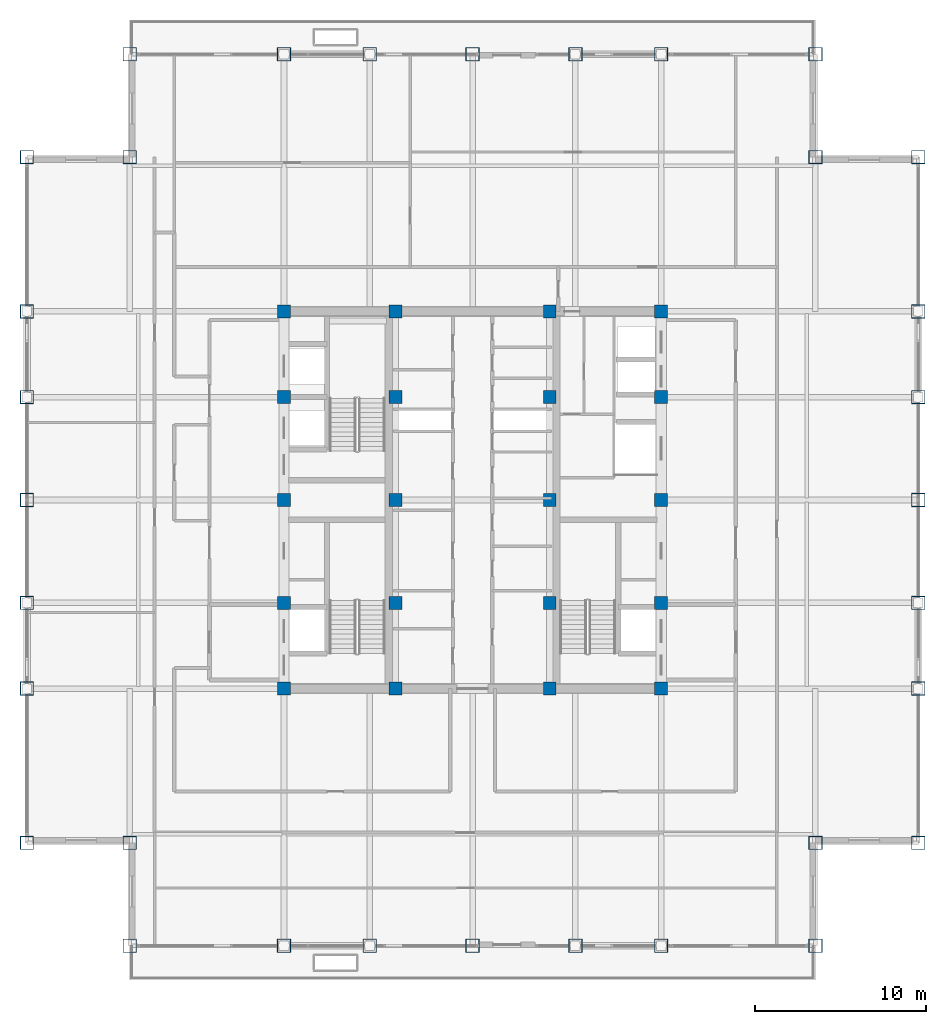
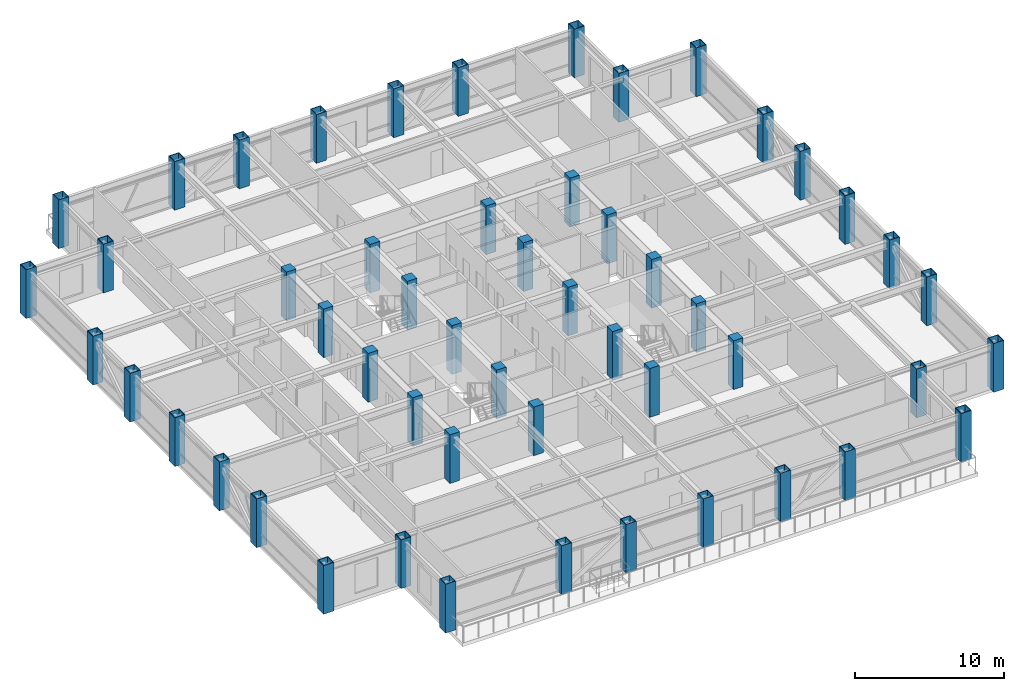
# One storey, part 1 of 30: 52 columns.
"""IFC4 building model written with IfcOpenShell, lengths in metres."""

from ifc_helpers import new_model, si_unit, direction, frame, origin, origin_2d, place, context, subcontext, project, spatial, rectangle, hollow_rectangle, extrude, source, transform, mapped, material, material_profile, profile_set, type_object, element, save


model = new_model("IFC4")

# Units and contexts
model_context = context("Model", 3, precision=1e-05, world=origin(), true_north=direction((0.0, 1.0)))
body_context = subcontext(model_context, "Body", "Model", "MODEL_VIEW")
ifc_project = project(units=[si_unit("LENGTHUNIT", "METRE"), si_unit("AREAUNIT", "SQUARE_METRE"), si_unit("VOLUMEUNIT", "CUBIC_METRE"), si_unit("PLANEANGLEUNIT", "RADIAN"), si_unit("MASSUNIT", "GRAM", prefix="KILO")], contexts=[model_context])

# Site, building, storey
site_placement = place(None, origin())
site = spatial("IfcSite", under=ifc_project, at=site_placement, CompositionType="ELEMENT")
building_placement = place(site_placement, origin())
building = spatial("IfcBuilding", under=site, at=building_placement, Name="Khorayat Bourse Tower", CompositionType="ELEMENT")
storey_placement = place(building_placement, frame((0.0, 0.0, 326.300048828125)))
storey = spatial("IfcBuildingStorey", under=building, at=storey_placement, Name="L77", CompositionType="ELEMENT", Elevation=326.300048828125)

# Columns
ifc_material_1 = material(Name="Concrete C52/65", Category="concrete")
ifc_material_profile_1 = material_profile(ifc_material_1, rectangle(XDim=0.75, YDim=0.75, at=origin_2d()), Name="RC 750x750")
ifc_profile_set_1 = profile_set([ifc_material_profile_1], Name="Concrete C52/65")
column_type_1 = type_object("IfcColumnType", Name="COL-CORE-750", PredefinedType="COLUMN", material=ifc_profile_set_1)
shared_shape_1 = source(origin(), body_context, "Body", "SweptSolid", [
    extrude(rectangle(XDim=0.75, YDim=0.75, at=origin_2d()), origin(), (0.0, 0.0, 1.0), 4.0),
])
for number, where, z_axis, x_axis, name in (
    (1, (-11.0, -11.0, 0.0), (0.0, 0.0, 1.0), (1.0, 0.0, 0.0), "L77 Column 013"),
    (2, (-11.0, -6.0, 0.0), (0.0, 0.0, 1.0), (1.0, 0.0, 0.0), "L77 Column 014"),
    (3, (-11.0, 0.0, 0.0), (0.0, 0.0, 1.0), (1.0, 0.0, 0.0), "L77 Column 015"),
    (4, (-11.0, 6.0, 0.0), (0.0, 0.0, 1.0), (1.0, 0.0, 0.0), "L77 Column 016"),
    (5, (-11.0, 11.0, 0.0), (0.0, 0.0, 1.0), (1.0, 0.0, 0.0), "L77 Column 017"),
    (6, (-4.5, -11.0, 0.0), (0.0, 0.0, 1.0), (1.0, 0.0, 0.0), "L77 Column 021"),
    (7, (-4.5, -6.0, 0.0), (0.0, 0.0, 1.0), (1.0, 0.0, 0.0), "L77 Column 022"),
    (8, (-4.5, 0.0, 0.0), (0.0, 0.0, 1.0), (1.0, 0.0, 0.0), "L77 Column 023"),
    (9, (-4.5, 6.0, 0.0), (0.0, 0.0, 1.0), (1.0, 0.0, 0.0), "L77 Column 024"),
    (10, (-4.5, 11.0, 0.0), (0.0, 0.0, 1.0), (1.0, 0.0, 0.0), "L77 Column 025"),
    (11, (4.5, -11.0, 0.0), (0.0, 0.0, 1.0), (1.0, 0.0, 0.0), "L77 Column 028"),
    (12, (4.5, -6.0, 0.0), (0.0, 0.0, 1.0), (1.0, 0.0, 0.0), "L77 Column 029"),
    (13, (4.5, 0.0, 0.0), (0.0, 0.0, 1.0), (1.0, 0.0, 0.0), "L77 Column 030"),
    (14, (4.5, 6.0, 0.0), (0.0, 0.0, 1.0), (1.0, 0.0, 0.0), "L77 Column 031"),
    (15, (4.5, 11.0, 0.0), (0.0, 0.0, 1.0), (1.0, 0.0, 0.0), "L77 Column 032"),
    (16, (11.0, -11.0, 0.0), (0.0, 0.0, 1.0), (1.0, 0.0, 0.0), "L77 Column 036"),
    (17, (11.0, -6.0, 0.0), (0.0, 0.0, 1.0), (1.0, 0.0, 0.0), "L77 Column 037"),
    (18, (11.0, 0.0, 0.0), (0.0, 0.0, 1.0), (1.0, 0.0, 0.0), "L77 Column 038"),
    (19, (11.0, 6.0, 0.0), (0.0, 0.0, 1.0), (1.0, 0.0, 0.0), "L77 Column 039"),
    (20, (11.0, 11.0, 0.0), (0.0, 0.0, 1.0), (1.0, 0.0, 0.0), "L77 Column 040"),
):
    element("IfcColumn", number, at=place(storey_placement, frame(where, z_axis=z_axis, x_axis=x_axis)), inside=storey, type_object=column_type_1, Name=name, PredefinedType="COLUMN", context=body_context, shape_type="MappedRepresentation", body=[
        mapped(shared_shape_1, transform((0.0, 0.0, 0.0), scale=1.0)),
    ])
ifc_material_2 = material(Name="Steel EN 10025-2 S355J2", Category="steel")
ifc_material_profile_2 = material_profile(ifc_material_2, hollow_rectangle(XDim=0.800048828125, YDim=0.800048828125, WallThickness=0.044921875, at=origin_2d()), Name="BOX 800x800x45")
ifc_profile_set_2 = profile_set([ifc_material_profile_2], Name="Steel EN 10025-2 S355J2")
column_type_2 = type_object("IfcColumnType", Name="COL-TUBE-800", PredefinedType="COLUMN", material=ifc_profile_set_2)
shared_shape_2 = source(origin(), body_context, "Body", "SweptSolid", [
    extrude(hollow_rectangle(XDim=0.800048828125, YDim=0.800048828125, WallThickness=0.044921875, at=origin_2d()), origin(), (0.0, 0.0, 1.0), 4.0),
])
for number, where, z_axis, x_axis, name in (
    (21, (-26.0, -20.0, 0.0), (0.0, 0.0, 1.0), (1.0, 0.0, 0.0), "L77 Column 001"),
    (22, (-26.0, -11.0, 0.0), (0.0, 0.0, 1.0), (1.0, 0.0, 0.0), "L77 Column 002"),
    (23, (-26.0, -6.0, 0.0), (0.0, 0.0, 1.0), (1.0, 0.0, 0.0), "L77 Column 003"),
    (24, (-26.0, 0.0, 0.0), (0.0, 0.0, 1.0), (1.0, 0.0, 0.0), "L77 Column 004"),
    (25, (-26.0, 6.0, 0.0), (0.0, 0.0, 1.0), (1.0, 0.0, 0.0), "L77 Column 005"),
    (26, (-26.0, 11.0, 0.0), (0.0, 0.0, 1.0), (1.0, 0.0, 0.0), "L77 Column 006"),
    (27, (-26.0, 20.0, 0.0), (0.0, 0.0, 1.0), (1.0, 0.0, 0.0), "L77 Column 007"),
    (28, (-20.0, -26.0, 0.0), (0.0, 0.0, 1.0), (1.0, 0.0, 0.0), "L77 Column 008"),
    (29, (-20.0, -20.0, 0.0), (0.0, 0.0, 1.0), (1.0, 0.0, 0.0), "L77 Column 009"),
    (30, (-20.0, 20.0, 0.0), (0.0, 0.0, 1.0), (1.0, 0.0, 0.0), "L77 Column 010"),
    (31, (-20.0, 26.0, 0.0), (0.0, 0.0, 1.0), (1.0, 0.0, 0.0), "L77 Column 011"),
    (32, (-11.0, -26.0, 0.0), (0.0, 0.0, 1.0), (1.0, 0.0, 0.0), "L77 Column 012"),
    (33, (-11.0, 26.0, 0.0), (0.0, 0.0, 1.0), (1.0, 0.0, 0.0), "L77 Column 018"),
    (34, (-6.0, -26.0, 0.0), (0.0, 0.0, 1.0), (1.0, 0.0, 0.0), "L77 Column 019"),
    (35, (-6.0, 26.0, 0.0), (0.0, 0.0, 1.0), (1.0, 0.0, 0.0), "L77 Column 020"),
    (36, (0.0, -26.0, 0.0), (0.0, 0.0, 1.0), (1.0, 0.0, 0.0), "L77 Column 026"),
    (37, (0.0, 26.0, 0.0), (0.0, 0.0, 1.0), (1.0, 0.0, 0.0), "L77 Column 027"),
    (38, (6.0, -26.0, 0.0), (0.0, 0.0, 1.0), (1.0, 0.0, 0.0), "L77 Column 033"),
    (39, (6.0, 26.0, 0.0), (0.0, 0.0, 1.0), (1.0, 0.0, 0.0), "L77 Column 034"),
    (40, (11.0, -26.0, 0.0), (0.0, 0.0, 1.0), (1.0, 0.0, 0.0), "L77 Column 035"),
    (41, (11.0, 26.0, 0.0), (0.0, 0.0, 1.0), (1.0, 0.0, 0.0), "L77 Column 041"),
    (42, (20.0, -26.0, 0.0), (0.0, 0.0, 1.0), (1.0, 0.0, 0.0), "L77 Column 042"),
    (43, (20.0, -20.0, 0.0), (0.0, 0.0, 1.0), (1.0, 0.0, 0.0), "L77 Column 043"),
    (44, (20.0, 20.0, 0.0), (0.0, 0.0, 1.0), (1.0, 0.0, 0.0), "L77 Column 044"),
    (45, (20.0, 26.0, 0.0), (0.0, 0.0, 1.0), (1.0, 0.0, 0.0), "L77 Column 045"),
    (46, (26.0, -20.0, 0.0), (0.0, 0.0, 1.0), (1.0, 0.0, 0.0), "L77 Column 046"),
    (47, (26.0, -11.0, 0.0), (0.0, 0.0, 1.0), (1.0, 0.0, 0.0), "L77 Column 047"),
    (48, (26.0, -6.0, 0.0), (0.0, 0.0, 1.0), (1.0, 0.0, 0.0), "L77 Column 048"),
    (49, (26.0, 0.0, 0.0), (0.0, 0.0, 1.0), (1.0, 0.0, 0.0), "L77 Column 049"),
    (50, (26.0, 6.0, 0.0), (0.0, 0.0, 1.0), (1.0, 0.0, 0.0), "L77 Column 050"),
    (51, (26.0, 11.0, 0.0), (0.0, 0.0, 1.0), (1.0, 0.0, 0.0), "L77 Column 051"),
    (52, (26.0, 20.0, 0.0), (0.0, 0.0, 1.0), (1.0, 0.0, 0.0), "L77 Column 052"),
):
    element("IfcColumn", number, at=place(storey_placement, frame(where, z_axis=z_axis, x_axis=x_axis)), inside=storey, type_object=column_type_2, Name=name, PredefinedType="COLUMN", context=body_context, shape_type="MappedRepresentation", body=[
        mapped(shared_shape_2, transform((0.0, 0.0, 0.0), scale=1.0)),
    ])

save(model, "model.ifc")
